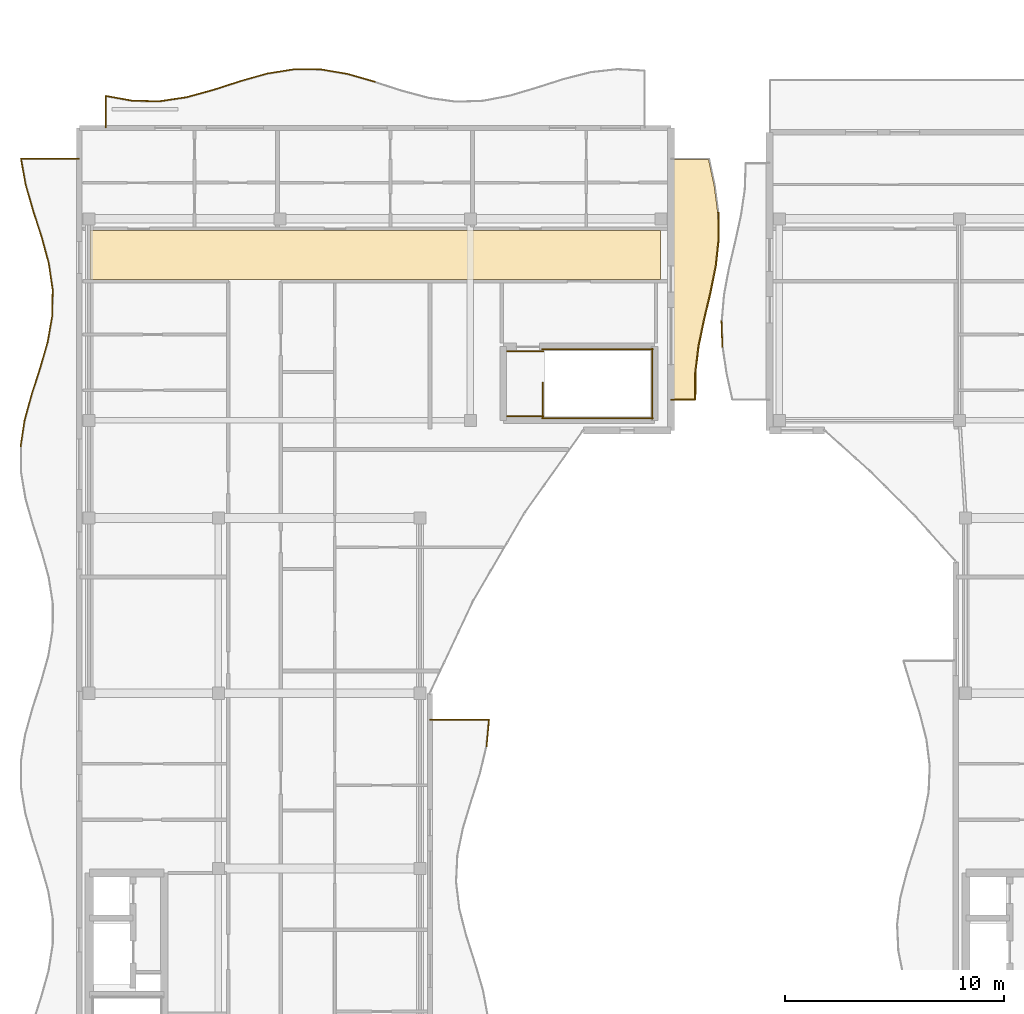
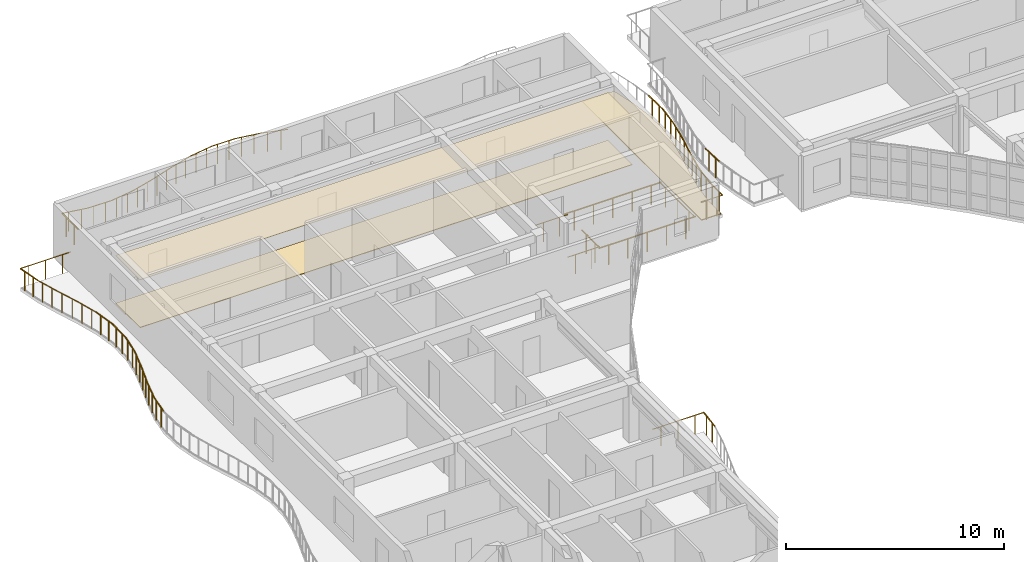
# One storey, part 51 of 68: 40 railings, 3 coverings.
"""IFC4 building model written with IfcOpenShell, lengths in metres."""

from ifc_helpers import new_model, si_unit, direction, frame, origin, origin_2d, place, context, subcontext, project, spatial, polyline, circle, outline, extrude, material, layer, layer_set, type_object, element, save


model = new_model("IFC4")

# Units and contexts
model_context = context("Model", 3, precision=1e-05, world=origin(), true_north=direction((0.0, 1.0)))
body_context = subcontext(model_context, "Body", "Model", "MODEL_VIEW")
ifc_project = project(units=[si_unit("LENGTHUNIT", "METRE"), si_unit("AREAUNIT", "SQUARE_METRE"), si_unit("VOLUMEUNIT", "CUBIC_METRE"), si_unit("PLANEANGLEUNIT", "RADIAN"), si_unit("MASSUNIT", "GRAM", prefix="KILO")], contexts=[model_context])

# Site, building, storey
site_placement = place(None, origin())
site = spatial("IfcSite", under=ifc_project, at=site_placement, CompositionType="ELEMENT")
building_placement = place(site_placement, origin())
building = spatial("IfcBuilding", under=site, at=building_placement, Name="Keldmere Railside Commons", CompositionType="ELEMENT")
storey_placement = place(building_placement, frame((0.0, 0.0, 23.360107421875)))
storey = spatial("IfcBuildingStorey", under=building, at=storey_placement, Name="L07", CompositionType="ELEMENT", Elevation=23.360107421875)

# Railings
ifc_material_1 = material(Name="Steel F-24 (S235)", Category="steel")
railing_type_1 = type_object("IfcRailingType", Name="Balcony & Terrace Steel Balustrade 1100", PredefinedType="BALUSTRADE", material=ifc_material_1)
railing_1_placement = place(storey_placement, frame((9.199951171875, 113.800048828125, 0.0)))
element("IfcRailing", 1, at=railing_1_placement, inside=storey, type_object=railing_type_1, Name="GR-1 GRD-L07-0694", PredefinedType="BALUSTRADE", context=body_context, shape_type="SweptSolid", body=[
    extrude(circle(Radius=0.02392578125, at=origin_2d()), frame((0.0, 0.0, 1.076171875), z_axis=(0.0, 1.0, 0.0), x_axis=(-1.0, 0.0, 0.0)), (0.0, 0.0, 1.0), 1.4619140625),
    extrude(circle(Radius=0.02099609375, at=origin_2d()), frame((0.0, 0.365478515625, 0.0)), (0.0, 0.0, 1.0), 1.048095703125),
    extrude(circle(Radius=0.02099609375, at=origin_2d()), frame((0.0, 1.096435546875, 0.0)), (0.0, 0.0, 1.0), 1.048095703125),
])
railing_2_placement = place(storey_placement, frame((9.199951171875, 115.261962890625, 0.0)))
element("IfcRailing", 2, at=railing_2_placement, inside=storey, type_object=railing_type_1, Name="GR-1 GRD-L07-0695", PredefinedType="BALUSTRADE", context=body_context, shape_type="SweptSolid", body=[
    extrude(circle(Radius=0.02392578125, at=origin_2d()), frame((0.0, 0.0, 1.076171875), z_axis=(0.98400712262, -0.17812911787, 0.0), x_axis=(0.17812911787, 0.98400712262, 0.0)), (0.0, 0.0, 1.0), 1.25),
    extrude(circle(Radius=0.02099609375, at=origin_2d()), frame((0.3076171875, -0.0556640625, 0.0)), (0.0, 0.0, 1.0), 1.048095703125),
    extrude(circle(Radius=0.02099609375, at=origin_2d()), frame((0.92236328125, -0.1669921875, 0.0)), (0.0, 0.0, 1.0), 1.048095703125),
])
railing_3_placement = place(storey_placement, frame((10.429931640625, 115.039306640625, 0.0)))
element("IfcRailing", 3, at=railing_3_placement, inside=storey, type_object=railing_type_1, Name="GR-1 GRD-L07-0696", PredefinedType="BALUSTRADE", context=body_context, shape_type="SweptSolid", body=[
    extrude(circle(Radius=0.02392578125, at=origin_2d()), frame((0.0, 0.0, 1.076171875), z_axis=(0.999829663155, -0.018456561865, 0.0), x_axis=(0.018456561865, 0.999829663155, 0.0)), (0.0, 0.0, 1.0), 1.230224609375),
    extrude(circle(Radius=0.02099609375, at=origin_2d()), frame((0.3076171875, -0.005615234375, 0.0)), (0.0, 0.0, 1.0), 1.048095703125),
    extrude(circle(Radius=0.02099609375, at=origin_2d()), frame((0.92236328125, -0.01708984375, 0.0)), (0.0, 0.0, 1.0), 1.048095703125),
])
railing_4_placement = place(storey_placement, frame((11.659912109375, 115.0166015625, 0.0)))
element("IfcRailing", 4, at=railing_4_placement, inside=storey, type_object=railing_type_1, Name="GR-1 GRD-L07-0697", PredefinedType="BALUSTRADE", context=body_context, shape_type="SweptSolid", body=[
    extrude(circle(Radius=0.02392578125, at=origin_2d()), frame((0.0, 0.0, 1.076171875), z_axis=(0.989071302666, 0.147437981005, 0.0), x_axis=(-0.147437981005, 0.989071302666, 0.0)), (0.0, 0.0, 1.0), 1.24365234375),
    extrude(circle(Radius=0.02099609375, at=origin_2d()), frame((0.3076171875, 0.0458984375, 0.0)), (0.0, 0.0, 1.0), 1.048095703125),
    extrude(circle(Radius=0.02099609375, at=origin_2d()), frame((0.92236328125, 0.137451171875, 0.0)), (0.0, 0.0, 1.0), 1.048095703125),
])
railing_5_placement = place(storey_placement, frame((12.889892578125, 115.199951171875, 0.0)))
element("IfcRailing", 5, at=railing_5_placement, inside=storey, type_object=railing_type_1, Name="GR-1 GRD-L07-0698", PredefinedType="BALUSTRADE", context=body_context, shape_type="SweptSolid", body=[
    extrude(circle(Radius=0.02392578125, at=origin_2d()), frame((0.0, 0.0, 1.076171875), z_axis=(0.964240853344, 0.265027501862, 0.0), x_axis=(-0.265027501862, 0.964240853344, 0.0)), (0.0, 0.0, 1.0), 1.27587890625),
    extrude(circle(Radius=0.02099609375, at=origin_2d()), frame((0.3076171875, 0.08447265625, 0.0)), (0.0, 0.0, 1.0), 1.048095703125),
    extrude(circle(Radius=0.02099609375, at=origin_2d()), frame((0.922607421875, 0.253662109375, 0.0)), (0.0, 0.0, 1.0), 1.048095703125),
])
railing_6_placement = place(storey_placement, frame((14.1201171875, 115.5380859375, 0.0)))
element("IfcRailing", 6, at=railing_6_placement, inside=storey, type_object=railing_type_1, Name="GR-1 GRD-L07-0699", PredefinedType="BALUSTRADE", context=body_context, shape_type="SweptSolid", body=[
    extrude(circle(Radius=0.02392578125, at=origin_2d()), frame((0.0, 0.0, 1.076171875), z_axis=(0.951496564548, 0.307659369521, 0.0), x_axis=(-0.307659369521, 0.951496564548, 0.0)), (0.0, 0.0, 1.0), 1.292724609375),
    extrude(circle(Radius=0.02099609375, at=origin_2d()), frame((0.3076171875, 0.099365234375, 0.0)), (0.0, 0.0, 1.0), 1.048095703125),
    extrude(circle(Radius=0.02099609375, at=origin_2d()), frame((0.92236328125, 0.29833984375, 0.0)), (0.0, 0.0, 1.0), 1.048095703125),
])
railing_7_placement = place(storey_placement, frame((15.35009765625, 115.935791015625, 0.0)))
element("IfcRailing", 7, at=railing_7_placement, inside=storey, type_object=railing_type_1, Name="GR-1 GRD-L07-0700", PredefinedType="BALUSTRADE", context=body_context, shape_type="SweptSolid", body=[
    extrude(circle(Radius=0.02392578125, at=origin_2d()), frame((0.0, 0.0, 1.076171875), z_axis=(0.962747378739, 0.270402449566, 0.0), x_axis=(-0.270402449566, 0.962747378739, 0.0)), (0.0, 0.0, 1.0), 1.277587890625),
    extrude(circle(Radius=0.02099609375, at=origin_2d()), frame((0.3076171875, 0.08642578125, 0.0)), (0.0, 0.0, 1.0), 1.048095703125),
    extrude(circle(Radius=0.02099609375, at=origin_2d()), frame((0.92236328125, 0.259033203125, 0.0)), (0.0, 0.0, 1.0), 1.048095703125),
])
railing_8_placement = place(storey_placement, frame((16.580078125, 116.28125, 0.0)))
element("IfcRailing", 8, at=railing_8_placement, inside=storey, type_object=railing_type_1, Name="GR-1 GRD-L07-0701", PredefinedType="BALUSTRADE", context=body_context, shape_type="SweptSolid", body=[
    extrude(circle(Radius=0.02392578125, at=origin_2d()), frame((0.0, 0.0, 1.076171875), z_axis=(0.987534642561, 0.157401809841, 0.0), x_axis=(-0.157401809841, 0.987534642561, 0.0)), (0.0, 0.0, 1.0), 1.24560546875),
    extrude(circle(Radius=0.02099609375, at=origin_2d()), frame((0.3076171875, 0.049072265625, 0.0)), (0.0, 0.0, 1.0), 1.048095703125),
    extrude(circle(Radius=0.02099609375, at=origin_2d()), frame((0.92236328125, 0.14697265625, 0.0)), (0.0, 0.0, 1.0), 1.048095703125),
])
railing_9_placement = place(storey_placement, frame((17.81005859375, 116.477294921875, 0.0)))
element("IfcRailing", 9, at=railing_9_placement, inside=storey, type_object=railing_type_1, Name="GR-1 GRD-L07-0702", PredefinedType="BALUSTRADE", context=body_context, shape_type="SweptSolid", body=[
    extrude(circle(Radius=0.02392578125, at=origin_2d()), frame((0.0, 0.0, 1.076171875), z_axis=(0.999975869071, -0.006947033628, 0.0), x_axis=(0.006947033628, 0.999975869071, 0.0)), (0.0, 0.0, 1.0), 1.22998046875),
    extrude(circle(Radius=0.02099609375, at=origin_2d()), frame((0.3076171875, -0.002197265625, 0.0)), (0.0, 0.0, 1.0), 1.048095703125),
    extrude(circle(Radius=0.02099609375, at=origin_2d()), frame((0.92236328125, -0.00634765625, 0.0)), (0.0, 0.0, 1.0), 1.048095703125),
])
railing_10_placement = place(storey_placement, frame((19.0400390625, 116.46875, 0.0)))
element("IfcRailing", 10, at=railing_10_placement, inside=storey, type_object=railing_type_1, Name="GR-1 GRD-L07-0703", PredefinedType="BALUSTRADE", context=body_context, shape_type="SweptSolid", body=[
    extrude(circle(Radius=0.02392578125, at=origin_2d()), frame((0.0, 0.0, 1.076171875), z_axis=(0.985676197838, -0.168648845283, 0.0), x_axis=(0.168648845283, 0.985676197838, 0.0)), (0.0, 0.0, 1.0), 1.247802734375),
    extrude(circle(Radius=0.02099609375, at=origin_2d()), frame((0.3076171875, -0.052734375, 0.0)), (0.0, 0.0, 1.0), 1.048095703125),
    extrude(circle(Radius=0.02099609375, at=origin_2d()), frame((0.92236328125, -0.15771484375, 0.0)), (0.0, 0.0, 1.0), 1.048095703125),
])
railing_11_placement = place(storey_placement, frame((20.27001953125, 116.25830078125, 0.0)))
element("IfcRailing", 11, at=railing_11_placement, inside=storey, type_object=railing_type_1, Name="GR-1 GRD-L07-0704", PredefinedType="BALUSTRADE", context=body_context, shape_type="SweptSolid", body=[
    extrude(circle(Radius=0.02392578125, at=origin_2d()), frame((0.0, 0.0, 1.076171875), z_axis=(0.961090830935, -0.276232537355, 0.0), x_axis=(0.276232537355, 0.961090830935, 0.0)), (0.0, 0.0, 1.0), 1.27978515625),
    extrude(circle(Radius=0.02099609375, at=origin_2d()), frame((0.3076171875, -0.08837890625, 0.0)), (0.0, 0.0, 1.0), 1.048095703125),
    extrude(circle(Radius=0.02099609375, at=origin_2d()), frame((0.92236328125, -0.26513671875, 0.0)), (0.0, 0.0, 1.0), 1.048095703125),
])
railing_12_placement = place(storey_placement, frame((26.584228515625, 85.564697265625, 0.0)))
element("IfcRailing", 12, at=railing_12_placement, inside=storey, type_object=railing_type_1, Name="GR-1 GRD-L07-0733", PredefinedType="BALUSTRADE", context=body_context, shape_type="SweptSolid", body=[
    extrude(circle(Radius=0.02392578125, at=origin_2d()), frame((0.0, 0.0, 1.076171875), z_axis=(0.093072502952, 0.995659333906, 0.0), x_axis=(-0.995659333906, 0.093072502952, 0.0)), (0.0, 0.0, 1.0), 1.24072265625),
    extrude(circle(Radius=0.02099609375, at=origin_2d()), frame((0.02880859375, 0.308837890625, 0.0)), (0.0, 0.0, 1.0), 1.048095703125),
    extrude(circle(Radius=0.02099609375, at=origin_2d()), frame((0.086669921875, 0.926513671875, 0.0)), (0.0, 0.0, 1.0), 1.048095703125),
])
railing_13_placement = place(storey_placement, frame((26.69970703125, 86.800048828125, 0.0)))
element("IfcRailing", 13, at=railing_13_placement, inside=storey, type_object=railing_type_1, Name="GR-1 GRD-L07-0734", PredefinedType="BALUSTRADE", context=body_context, shape_type="SweptSolid", body=[
    extrude(circle(Radius=0.02392578125, at=origin_2d()), frame((0.0, 0.0, 1.076171875), z_axis=(-1.0, 0.0, 0.0), x_axis=(0.0, -1.0, 0.0)), (0.0, 0.0, 1.0), 2.69970703125),
    extrude(circle(Radius=0.02099609375, at=origin_2d()), frame((-0.449951171875, 0.0, 0.0)), (0.0, 0.0, 1.0), 1.048095703125),
    extrude(circle(Radius=0.02099609375, at=origin_2d()), frame((-1.349853515625, 0.0, 0.0)), (0.0, 0.0, 1.0), 1.048095703125),
    extrude(circle(Radius=0.02099609375, at=origin_2d()), frame((-2.249755859375, 0.0, 0.0)), (0.0, 0.0, 1.0), 1.048095703125),
])
railing_14_placement = place(storey_placement, frame((5.3193359375, 99.25634765625, 0.0)))
element("IfcRailing", 14, at=railing_14_placement, inside=storey, type_object=railing_type_1, Name="GR-1 GRD-L07-0764", PredefinedType="BALUSTRADE", context=body_context, shape_type="SweptSolid", body=[
    extrude(circle(Radius=0.02392578125, at=origin_2d()), frame((0.0, 0.0, 1.076171875), z_axis=(0.150068632699, 0.988675581513, 0.0), x_axis=(-0.988675581513, 0.150068632699, 0.0)), (0.0, 0.0, 1.0), 1.208740234375),
    extrude(circle(Radius=0.02099609375, at=origin_2d()), frame((0.04541015625, 0.298828125, 0.0)), (0.0, 0.0, 1.0), 1.048095703125),
    extrude(circle(Radius=0.02099609375, at=origin_2d()), frame((0.135986328125, 0.896240234375, 0.0)), (0.0, 0.0, 1.0), 1.048095703125),
])
railing_15_placement = place(storey_placement, frame((5.500732421875, 100.451416015625, 0.0)))
element("IfcRailing", 15, at=railing_15_placement, inside=storey, type_object=railing_type_1, Name="GR-1 GRD-L07-0765", PredefinedType="BALUSTRADE", context=body_context, shape_type="SweptSolid", body=[
    extrude(circle(Radius=0.02392578125, at=origin_2d()), frame((0.0, 0.0, 1.076171875), z_axis=(0.264267790888, 0.964449342734, 0.0), x_axis=(-0.964449342734, 0.264267790888, 0.0)), (0.0, 0.0, 1.0), 1.23876953125),
    extrude(circle(Radius=0.02099609375, at=origin_2d()), frame((0.081787109375, 0.298828125, 0.0)), (0.0, 0.0, 1.0), 1.048095703125),
    extrude(circle(Radius=0.02099609375, at=origin_2d()), frame((0.24560546875, 0.89599609375, 0.0)), (0.0, 0.0, 1.0), 1.048095703125),
])
railing_16_placement = place(storey_placement, frame((5.828125, 101.646240234375, 0.0)))
element("IfcRailing", 16, at=railing_16_placement, inside=storey, type_object=railing_type_1, Name="GR-1 GRD-L07-0766", PredefinedType="BALUSTRADE", context=body_context, shape_type="SweptSolid", body=[
    extrude(circle(Radius=0.02392578125, at=origin_2d()), frame((0.0, 0.0, 1.076171875), z_axis=(0.307582153235, 0.951521528401, 0.0), x_axis=(-0.951521528401, 0.307582153235, 0.0)), (0.0, 0.0, 1.0), 1.255615234375),
    extrude(circle(Radius=0.02099609375, at=origin_2d()), frame((0.0966796875, 0.298828125, 0.0)), (0.0, 0.0, 1.0), 1.048095703125),
    extrude(circle(Radius=0.02099609375, at=origin_2d()), frame((0.28955078125, 0.89599609375, 0.0)), (0.0, 0.0, 1.0), 1.048095703125),
])
railing_17_placement = place(storey_placement, frame((6.21435546875, 102.841064453125, 0.0)))
element("IfcRailing", 17, at=railing_17_placement, inside=storey, type_object=railing_type_1, Name="GR-1 GRD-L07-0767", PredefinedType="BALUSTRADE", context=body_context, shape_type="SweptSolid", body=[
    extrude(circle(Radius=0.02392578125, at=origin_2d()), frame((0.0, 0.0, 1.076171875), z_axis=(0.275577113269, 0.961278968168, 0.0), x_axis=(-0.961278968168, 0.275577113269, 0.0)), (0.0, 0.0, 1.0), 1.242919921875),
    extrude(circle(Radius=0.02099609375, at=origin_2d()), frame((0.085693359375, 0.298828125, 0.0)), (0.0, 0.0, 1.0), 1.048095703125),
    extrude(circle(Radius=0.02099609375, at=origin_2d()), frame((0.2568359375, 0.89599609375, 0.0)), (0.0, 0.0, 1.0), 1.048095703125),
])
railing_18_placement = place(storey_placement, frame((6.556884765625, 104.035888671875, 0.0)))
element("IfcRailing", 18, at=railing_18_placement, inside=storey, type_object=railing_type_1, Name="GR-1 GRD-L07-0768", PredefinedType="BALUSTRADE", context=body_context, shape_type="SweptSolid", body=[
    extrude(circle(Radius=0.02392578125, at=origin_2d()), frame((0.0, 0.0, 1.076171875), z_axis=(0.171511080238, 0.985182190945, 0.0), x_axis=(-0.985182190945, 0.171511080238, 0.0)), (0.0, 0.0, 1.0), 1.212890625),
    extrude(circle(Radius=0.02099609375, at=origin_2d()), frame((0.052001953125, 0.298828125, 0.0)), (0.0, 0.0, 1.0), 1.048095703125),
    extrude(circle(Radius=0.02099609375, at=origin_2d()), frame((0.156005859375, 0.89599609375, 0.0)), (0.0, 0.0, 1.0), 1.048095703125),
])
railing_19_placement = place(storey_placement, frame((6.764892578125, 105.230712890625, 0.0)))
element("IfcRailing", 19, at=railing_19_placement, inside=storey, type_object=railing_type_1, Name="GR-1 GRD-L07-0769", PredefinedType="BALUSTRADE", context=body_context, shape_type="SweptSolid", body=[
    extrude(circle(Radius=0.02392578125, at=origin_2d()), frame((0.0, 0.0, 1.076171875), z_axis=(0.014914564841, 0.999888771692, 0.0), x_axis=(-0.999888771692, 0.014914564841, 0.0)), (0.0, 0.0, 1.0), 1.195068359375),
    extrude(circle(Radius=0.02099609375, at=origin_2d()), frame((0.00439453125, 0.298828125, 0.0)), (0.0, 0.0, 1.0), 1.048095703125),
    extrude(circle(Radius=0.02099609375, at=origin_2d()), frame((0.013427734375, 0.89599609375, 0.0)), (0.0, 0.0, 1.0), 1.048095703125),
])
railing_20_placement = place(storey_placement, frame((6.78271484375, 106.425537109375, 0.0)))
element("IfcRailing", 20, at=railing_20_placement, inside=storey, type_object=railing_type_1, Name="GR-1 GRD-L07-0770", PredefinedType="BALUSTRADE", context=body_context, shape_type="SweptSolid", body=[
    extrude(circle(Radius=0.02392578125, at=origin_2d()), frame((0.0, 0.0, 1.076171875), z_axis=(-0.146314285026, 0.989238156359, 0.0), x_axis=(-0.989238156359, -0.146314285026, 0.0)), (0.0, 0.0, 1.0), 1.2080078125),
    extrude(circle(Radius=0.02099609375, at=origin_2d()), frame((-0.044189453125, 0.298828125, 0.0)), (0.0, 0.0, 1.0), 1.048095703125),
    extrude(circle(Radius=0.02099609375, at=origin_2d()), frame((-0.132568359375, 0.896240234375, 0.0)), (0.0, 0.0, 1.0), 1.048095703125),
])
railing_21_placement = place(storey_placement, frame((6.60595703125, 107.62060546875, 0.0)))
element("IfcRailing", 21, at=railing_21_placement, inside=storey, type_object=railing_type_1, Name="GR-1 GRD-L07-0771", PredefinedType="BALUSTRADE", context=body_context, shape_type="SweptSolid", body=[
    extrude(circle(Radius=0.02392578125, at=origin_2d()), frame((0.0, 0.0, 1.076171875), z_axis=(-0.262066072968, 0.965049933112, 0.0), x_axis=(-0.965049933112, -0.262066072968, 0.0)), (0.0, 0.0, 1.0), 1.238037109375),
    extrude(circle(Radius=0.02099609375, at=origin_2d()), frame((-0.0810546875, 0.298828125, 0.0)), (0.0, 0.0, 1.0), 1.048095703125),
    extrude(circle(Radius=0.02099609375, at=origin_2d()), frame((-0.243408203125, 0.89599609375, 0.0)), (0.0, 0.0, 1.0), 1.048095703125),
])
railing_22_placement = place(storey_placement, frame((6.281494140625, 108.8154296875, 0.0)))
element("IfcRailing", 22, at=railing_22_placement, inside=storey, type_object=railing_type_1, Name="GR-1 GRD-L07-0772", PredefinedType="BALUSTRADE", context=body_context, shape_type="SweptSolid", body=[
    extrude(circle(Radius=0.02392578125, at=origin_2d()), frame((0.0, 0.0, 1.076171875), z_axis=(-0.307406105337, 0.951578418419, 0.0), x_axis=(-0.951578418419, -0.307406105337, 0.0)), (0.0, 0.0, 1.0), 1.255615234375),
    extrude(circle(Radius=0.02099609375, at=origin_2d()), frame((-0.096435546875, 0.298828125, 0.0)), (0.0, 0.0, 1.0), 1.048095703125),
    extrude(circle(Radius=0.02099609375, at=origin_2d()), frame((-0.28955078125, 0.89599609375, 0.0)), (0.0, 0.0, 1.0), 1.048095703125),
])
railing_23_placement = place(storey_placement, frame((5.8955078125, 110.01025390625, 0.0)))
element("IfcRailing", 23, at=railing_23_placement, inside=storey, type_object=railing_type_1, Name="GR-1 GRD-L07-0773", PredefinedType="BALUSTRADE", context=body_context, shape_type="SweptSolid", body=[
    extrude(circle(Radius=0.02392578125, at=origin_2d()), frame((0.0, 0.0, 1.076171875), z_axis=(-0.277571862753, 0.960704877165, 0.0), x_axis=(-0.960704877165, -0.277571862753, 0.0)), (0.0, 0.0, 1.0), 1.24365234375),
    extrude(circle(Radius=0.02099609375, at=origin_2d()), frame((-0.08642578125, 0.298828125, 0.0)), (0.0, 0.0, 1.0), 1.048095703125),
    extrude(circle(Radius=0.02099609375, at=origin_2d()), frame((-0.2587890625, 0.89599609375, 0.0)), (0.0, 0.0, 1.0), 1.048095703125),
])
railing_24_placement = place(storey_placement, frame((5.55029296875, 111.205078125, 0.0)))
element("IfcRailing", 24, at=railing_24_placement, inside=storey, type_object=railing_type_1, Name="GR-1 GRD-L07-0774", PredefinedType="BALUSTRADE", context=body_context, shape_type="SweptSolid", body=[
    extrude(circle(Radius=0.02392578125, at=origin_2d()), frame((0.0, 0.0, 1.076171875), z_axis=(-0.174829642137, 0.984598698064, 0.0), x_axis=(-0.984598698064, -0.174829642137, 0.0)), (0.0, 0.0, 1.0), 1.213623046875),
    extrude(circle(Radius=0.02099609375, at=origin_2d()), frame((-0.052978515625, 0.298828125, 0.0)), (0.0, 0.0, 1.0), 1.048095703125),
    extrude(circle(Radius=0.02099609375, at=origin_2d()), frame((-0.1591796875, 0.89599609375, 0.0)), (0.0, 0.0, 1.0), 1.048095703125),
])
railing_25_placement = place(storey_placement, frame((5.338134765625, 112.39990234375, 0.0)))
element("IfcRailing", 25, at=railing_25_placement, inside=storey, type_object=railing_type_1, Name="GR-1 GRD-L07-0775", PredefinedType="BALUSTRADE", context=body_context, shape_type="SweptSolid", body=[
    extrude(circle(Radius=0.02392578125, at=origin_2d()), frame((0.0, 0.0, 1.076171875), z_axis=(1.0, 0.0, 0.0), x_axis=(0.0, 1.0, 0.0)), (0.0, 0.0, 1.0), 2.661865234375),
    extrude(circle(Radius=0.02099609375, at=origin_2d()), frame((0.443603515625, 0.0, 0.0)), (0.0, 0.0, 1.0), 1.048095703125),
    extrude(circle(Radius=0.02099609375, at=origin_2d()), frame((1.3310546875, 0.0, 0.0)), (0.0, 0.0, 1.0), 1.048095703125),
    extrude(circle(Radius=0.02099609375, at=origin_2d()), frame((2.21826171875, 0.0, 0.0)), (0.0, 0.0, 1.0), 1.048095703125),
])
railing_26_placement = place(storey_placement, frame((35.0, 101.39990234375, 0.0)))
element("IfcRailing", 26, at=railing_26_placement, inside=storey, type_object=railing_type_1, Name="GR-1 GRD-L07-0776", PredefinedType="BALUSTRADE", context=body_context, shape_type="SweptSolid", body=[
    extrude(circle(Radius=0.02392578125, at=origin_2d()), frame((0.0, 0.0, 1.076171875), z_axis=(1.0, 0.0, 0.0), x_axis=(0.0, 1.0, 0.0)), (0.0, 0.0, 1.0), 1.118896484375),
    extrude(circle(Radius=0.02099609375, at=origin_2d()), frame((0.27978515625, 0.0, 0.0)), (0.0, 0.0, 1.0), 1.048095703125),
    extrude(circle(Radius=0.02099609375, at=origin_2d()), frame((0.839111328125, 0.0, 0.0)), (0.0, 0.0, 1.0), 1.048095703125),
])
railing_27_placement = place(storey_placement, frame((36.118896484375, 101.39990234375, 0.0)))
element("IfcRailing", 27, at=railing_27_placement, inside=storey, type_object=railing_type_1, Name="GR-1 GRD-L07-0777", PredefinedType="BALUSTRADE", context=body_context, shape_type="SweptSolid", body=[
    extrude(circle(Radius=0.02392578125, at=origin_2d()), frame((0.0, 0.0, 1.076171875), z_axis=(0.000998601459, 0.999999501397, 0.0), x_axis=(-0.999999501397, 0.000998601459, 0.0)), (0.0, 0.0, 1.0), 1.222412109375),
    extrude(circle(Radius=0.02099609375, at=origin_2d()), frame((0.000244140625, 0.3056640625, 0.0)), (0.0, 0.0, 1.0), 1.048095703125),
    extrude(circle(Radius=0.02099609375, at=origin_2d()), frame((0.0009765625, 0.916748046875, 0.0)), (0.0, 0.0, 1.0), 1.048095703125),
])
railing_28_placement = place(storey_placement, frame((36.1201171875, 102.622314453125, 0.0)))
element("IfcRailing", 28, at=railing_28_placement, inside=storey, type_object=railing_type_1, Name="GR-1 GRD-L07-0778", PredefinedType="BALUSTRADE", context=body_context, shape_type="SweptSolid", body=[
    extrude(circle(Radius=0.02392578125, at=origin_2d()), frame((0.0, 0.0, 1.076171875), z_axis=(0.120568250988, 0.992705040208, 0.0), x_axis=(-0.992705040208, 0.120568250988, 0.0)), (0.0, 0.0, 1.0), 1.231201171875),
    extrude(circle(Radius=0.02099609375, at=origin_2d()), frame((0.037109375, 0.3056640625, 0.0)), (0.0, 0.0, 1.0), 1.048095703125),
    extrude(circle(Radius=0.02099609375, at=origin_2d()), frame((0.111328125, 0.91650390625, 0.0)), (0.0, 0.0, 1.0), 1.048095703125),
])
railing_29_placement = place(storey_placement, frame((36.2685546875, 103.844482421875, 0.0)))
element("IfcRailing", 29, at=railing_29_placement, inside=storey, type_object=railing_type_1, Name="GR-1 GRD-L07-0779", PredefinedType="BALUSTRADE", context=body_context, shape_type="SweptSolid", body=[
    extrude(circle(Radius=0.02392578125, at=origin_2d()), frame((0.0, 0.0, 1.076171875), z_axis=(0.203782436997, 0.979016199239, 0.0), x_axis=(-0.979016199239, 0.203782436997, 0.0)), (0.0, 0.0, 1.0), 1.248291015625),
    extrude(circle(Radius=0.02099609375, at=origin_2d()), frame((0.0634765625, 0.3056640625, 0.0)), (0.0, 0.0, 1.0), 1.048095703125),
    extrude(circle(Radius=0.02099609375, at=origin_2d()), frame((0.19091796875, 0.91650390625, 0.0)), (0.0, 0.0, 1.0), 1.048095703125),
])
railing_30_placement = place(storey_placement, frame((36.52294921875, 105.066650390625, 0.0)))
element("IfcRailing", 30, at=railing_30_placement, inside=storey, type_object=railing_type_1, Name="GR-1 GRD-L07-0780", PredefinedType="BALUSTRADE", context=body_context, shape_type="SweptSolid", body=[
    extrude(circle(Radius=0.02392578125, at=origin_2d()), frame((0.0, 0.0, 1.076171875), z_axis=(0.230534193117, 0.973064224912, 0.0), x_axis=(-0.973064224912, 0.230534193117, 0.0)), (0.0, 0.0, 1.0), 1.256103515625),
    extrude(circle(Radius=0.02099609375, at=origin_2d()), frame((0.072265625, 0.3056640625, 0.0)), (0.0, 0.0, 1.0), 1.048095703125),
    extrude(circle(Radius=0.02099609375, at=origin_2d()), frame((0.21728515625, 0.91650390625, 0.0)), (0.0, 0.0, 1.0), 1.048095703125),
])
railing_31_placement = place(storey_placement, frame((36.8125, 106.288818359375, 0.0)))
element("IfcRailing", 31, at=railing_31_placement, inside=storey, type_object=railing_type_1, Name="GR-1 GRD-L07-0781", PredefinedType="BALUSTRADE", context=body_context, shape_type="SweptSolid", body=[
    extrude(circle(Radius=0.02392578125, at=origin_2d()), frame((0.0, 0.0, 1.076171875), z_axis=(0.196266805943, 0.980550529491, 0.0), x_axis=(-0.980550529491, 0.196266805943, 0.0)), (0.0, 0.0, 1.0), 1.246337890625),
    extrude(circle(Radius=0.02099609375, at=origin_2d()), frame((0.06103515625, 0.3056640625, 0.0)), (0.0, 0.0, 1.0), 1.048095703125),
    extrude(circle(Radius=0.02099609375, at=origin_2d()), frame((0.18359375, 0.91650390625, 0.0)), (0.0, 0.0, 1.0), 1.048095703125),
])
railing_32_placement = place(storey_placement, frame((37.05712890625, 107.510986328125, 0.0)))
element("IfcRailing", 32, at=railing_32_placement, inside=storey, type_object=railing_type_1, Name="GR-1 GRD-L07-0782", PredefinedType="BALUSTRADE", context=body_context, shape_type="SweptSolid", body=[
    extrude(circle(Radius=0.02392578125, at=origin_2d()), frame((0.0, 0.0, 1.076171875), z_axis=(0.107030920364, 0.994255692509, 0.0), x_axis=(-0.994255692509, 0.107030920364, 0.0)), (0.0, 0.0, 1.0), 1.2294921875),
    extrude(circle(Radius=0.02099609375, at=origin_2d()), frame((0.032958984375, 0.3056640625, 0.0)), (0.0, 0.0, 1.0), 1.048095703125),
    extrude(circle(Radius=0.02099609375, at=origin_2d()), frame((0.0986328125, 0.916748046875, 0.0)), (0.0, 0.0, 1.0), 1.048095703125),
])
railing_33_placement = place(storey_placement, frame((37.188720703125, 108.7333984375, 0.0)))
element("IfcRailing", 33, at=railing_33_placement, inside=storey, type_object=railing_type_1, Name="GR-1 GRD-L07-0783", PredefinedType="BALUSTRADE", context=body_context, shape_type="SweptSolid", body=[
    extrude(circle(Radius=0.02392578125, at=origin_2d()), frame((0.0, 0.0, 1.076171875), z_axis=(-0.014980340418, 0.999887788405, 0.0), x_axis=(-0.999887788405, -0.014980340418, 0.0)), (0.0, 0.0, 1.0), 1.222412109375),
    extrude(circle(Radius=0.02099609375, at=origin_2d()), frame((-0.004638671875, 0.3056640625, 0.0)), (0.0, 0.0, 1.0), 1.048095703125),
    extrude(circle(Radius=0.02099609375, at=origin_2d()), frame((-0.013671875, 0.91650390625, 0.0)), (0.0, 0.0, 1.0), 1.048095703125),
])
railing_34_placement = place(storey_placement, frame((37.344970703125, 103.800048828125, 0.0)))
element("IfcRailing", 34, at=railing_34_placement, inside=storey, type_object=railing_type_1, Name="GR-1 GRD-L07-1613", PredefinedType="BALUSTRADE", context=body_context, shape_type="SweptSolid", body=[
    extrude(circle(Radius=0.02392578125, at=origin_2d()), frame((0.0, 0.0, 1.076171875), z_axis=(-0.03436422878, 0.999409375472, 0.0), x_axis=(-0.999409375472, -0.03436422878, 0.0)), (0.0, 0.0, 1.0), 1.20068359375),
    extrude(circle(Radius=0.02099609375, at=origin_2d()), frame((-0.01025390625, 0.300048828125, 0.0)), (0.0, 0.0, 1.0), 1.048095703125),
    extrude(circle(Radius=0.02099609375, at=origin_2d()), frame((-0.031005859375, 0.89990234375, 0.0)), (0.0, 0.0, 1.0), 1.048095703125),
])

# Covering
ifc_material_2 = material(Name="Polished Terrazzo Tile Flooring", Category="concrete")
ifc_layer_1 = layer(ifc_material_2, 0.030029296875, Name="Polished Terrazzo Floor Finish 30")
ifc_layer_set_1 = layer_set([ifc_layer_1], Name="Polished Terrazzo Tile Flooring")
covering_type_1 = type_object("IfcCoveringType", Name="Polished Terrazzo Floor Finish 30", PredefinedType="FLOORING", material=ifc_layer_set_1)
covering_1_placement = place(storey_placement, origin())
element("IfcCovering", 35, at=covering_1_placement, inside=storey, type_object=covering_type_1, Name="FLR-1 Corridor Terrazzo D-L07", PredefinedType="FLOORING", context=body_context, shape_type="SweptSolid", body=[
    extrude(outline(polyline([(8.47998046875, 106.8798828125), (34.52001953125, 106.8798828125), (34.52001953125, 109.1201171875), (8.47998046875, 109.1201171875), (8.47998046875, 106.8798828125)])), origin(), (0.0, 0.0, 1.0), 0.02978515625),
])

# Railings
railing_type_2 = type_object("IfcRailingType", Name="Stair Well Steel Guardrail 1100", PredefinedType="BALUSTRADE", material=ifc_material_1)
railing_35_placement = place(storey_placement, frame((29.14990234375, 100.60009765625, 0.0)))
element("IfcRailing", 36, at=railing_35_placement, inside=storey, type_object=railing_type_2, Name="L07 ST-D2 top well guard 1", PredefinedType="BALUSTRADE", context=body_context, shape_type="SweptSolid", body=[
    extrude(circle(Radius=0.02392578125, at=origin_2d()), frame((0.0, 0.0, 1.076171875), z_axis=(0.0, 1.0, 0.0), x_axis=(-1.0, 0.0, 0.0)), (0.0, 0.0, 1.0), 1.599853515625),
    extrude(circle(Radius=0.02099609375, at=origin_2d()), frame((0.0, 0.39990234375, 0.0)), (0.0, 0.0, 1.0), 1.048095703125),
    extrude(circle(Radius=0.02099609375, at=origin_2d()), frame((0.0, 1.199951171875, 0.0)), (0.0, 0.0, 1.0), 1.048095703125),
])
for number, where, name in (
    (37, (29.10009765625, 100.550048828125, 0.0), "L07 ST-D2 top well guard 2"),
    (38, (29.10009765625, 103.699951171875, 0.0), "L07 ST-D2 top well guard 3"),
):
    element("IfcRailing", number, at=place(storey_placement, frame(where)), inside=storey, type_object=railing_type_2, Name=name, PredefinedType="BALUSTRADE", context=body_context, shape_type="SweptSolid", body=[
        extrude(circle(Radius=0.02392578125, at=origin_2d()), frame((0.0, 0.0, 1.076171875), z_axis=(1.0, 0.0, 0.0), x_axis=(0.0, 1.0, 0.0)), (0.0, 0.0, 1.0), 5.099853515625),
        extrude(circle(Radius=0.02099609375, at=origin_2d()), frame((0.510009765625, 0.0, 0.0)), (0.0, 0.0, 1.0), 1.048095703125),
        extrude(circle(Radius=0.02099609375, at=origin_2d()), frame((1.530029296875, 0.0, 0.0)), (0.0, 0.0, 1.0), 1.048095703125),
        extrude(circle(Radius=0.02099609375, at=origin_2d()), frame((2.5498046875, 0.0, 0.0)), (0.0, 0.0, 1.0), 1.048095703125),
        extrude(circle(Radius=0.02099609375, at=origin_2d()), frame((3.56982421875, 0.0, 0.0)), (0.0, 0.0, 1.0), 1.048095703125),
        extrude(circle(Radius=0.02099609375, at=origin_2d()), frame((4.58984375, 0.0, 0.0)), (0.0, 0.0, 1.0), 1.048095703125),
    ])
railing_36_placement = place(storey_placement, frame((34.14990234375, 100.5, 0.0)))
element("IfcRailing", 39, at=railing_36_placement, inside=storey, type_object=railing_type_2, Name="L07 ST-D2 top well guard 4", PredefinedType="BALUSTRADE", context=body_context, shape_type="SweptSolid", body=[
    extrude(circle(Radius=0.02392578125, at=origin_2d()), frame((0.0, 0.0, 1.076171875), z_axis=(0.0, 1.0, 0.0), x_axis=(-1.0, 0.0, 0.0)), (0.0, 0.0, 1.0), 3.25),
    extrude(circle(Radius=0.02099609375, at=origin_2d()), frame((0.0, 0.541748046875, 0.0)), (0.0, 0.0, 1.0), 1.048095703125),
    extrude(circle(Radius=0.02099609375, at=origin_2d()), frame((0.0, 1.625, 0.0)), (0.0, 0.0, 1.0), 1.048095703125),
    extrude(circle(Radius=0.02099609375, at=origin_2d()), frame((0.0, 2.708251953125, 0.0)), (0.0, 0.0, 1.0), 1.048095703125),
])
for number, where, name in (
    (40, (27.5, 100.64990234375, 0.0), "L07 ST-D2 top well guard 5"),
    (41, (27.5, 103.60009765625, 0.0), "L07 ST-D2 top well guard 6"),
):
    element("IfcRailing", number, at=place(storey_placement, frame(where)), inside=storey, type_object=railing_type_2, Name=name, PredefinedType="BALUSTRADE", context=body_context, shape_type="SweptSolid", body=[
        extrude(circle(Radius=0.02392578125, at=origin_2d()), frame((0.0, 0.0, 1.076171875), z_axis=(1.0, 0.0, 0.0), x_axis=(0.0, 1.0, 0.0)), (0.0, 0.0, 1.0), 1.699951171875),
        extrude(circle(Radius=0.02099609375, at=origin_2d()), frame((0.425048828125, 0.0, 0.0)), (0.0, 0.0, 1.0), 1.048095703125),
        extrude(circle(Radius=0.02099609375, at=origin_2d()), frame((1.27490234375, 0.0, 0.0)), (0.0, 0.0, 1.0), 1.048095703125),
    ])

# Coverings
ifc_material_3 = material(Name="Acoustic Mineral-Fibre Gypsum Ceiling", Category="gypsum")
ifc_layer_2 = layer(ifc_material_3, 0.02490234375, Name="Suspended Acoustic Ceiling 25")
ifc_layer_set_2 = layer_set([ifc_layer_2], Name="Acoustic Mineral-Fibre Gypsum Ceiling")
covering_type_2 = type_object("IfcCoveringType", Name="Suspended Acoustic Ceiling 25", PredefinedType="CEILING", material=ifc_layer_set_2)
covering_2_placement = place(storey_placement, frame((0.0, 0.0, 2.6748046875)))
element("IfcCovering", 42, at=covering_2_placement, inside=storey, type_object=covering_type_2, Name="CLG-1 Corridor Ceiling D-L07", PredefinedType="CEILING", context=body_context, shape_type="SweptSolid", body=[
    extrude(outline(polyline([(8.47998046875, 106.8798828125), (34.52001953125, 106.8798828125), (34.52001953125, 109.1201171875), (8.47998046875, 109.1201171875), (8.47998046875, 106.8798828125)])), origin(), (0.0, 0.0, 1.0), 0.025146484375),
])
ifc_material_4 = material(Name="White Precast Concrete C35/45", Category="concrete")
ifc_layer_3 = layer(ifc_material_4, 0.044921875, Name="White Architectural Balcony Ribbon Cladding 45")
ifc_layer_set_3 = layer_set([ifc_layer_3], Name="White Precast Concrete C35/45")
covering_type_3 = type_object("IfcCoveringType", Name="White Architectural Balcony Ribbon Cladding 45", PredefinedType="FLOORING", material=ifc_layer_set_3)
covering_3_placement = place(storey_placement, origin())
element("IfcCovering", 43, at=covering_3_placement, inside=storey, type_object=covering_type_3, Name="CLG-WB D L07 WE White Balcony Ribbon", PredefinedType="FLOORING", context=body_context, shape_type="SweptSolid", body=[
    extrude(outline(polyline([(36.080078125, 102.622314453125), (36.080322265625, 102.626953125), (36.228759765625, 103.84912109375), (36.229248046875, 103.8525390625), (36.483642578125, 105.074951171875), (36.48388671875, 105.075927734375), (36.7734375, 106.29736328125), (37.017578125, 107.51708984375), (37.148681640625, 108.735107421875), (37.130615234375, 109.95263671875), (36.968505859375, 111.1708984375), (36.71337890625, 112.360107421875), (35.0400390625, 112.360107421875), (35.0400390625, 101.43994140625), (36.078857421875, 101.43994140625), (36.080078125, 102.622314453125)])), origin(), (0.0, 0.0, 1.0), 0.044921875),
])

save(model, "model.ifc")
